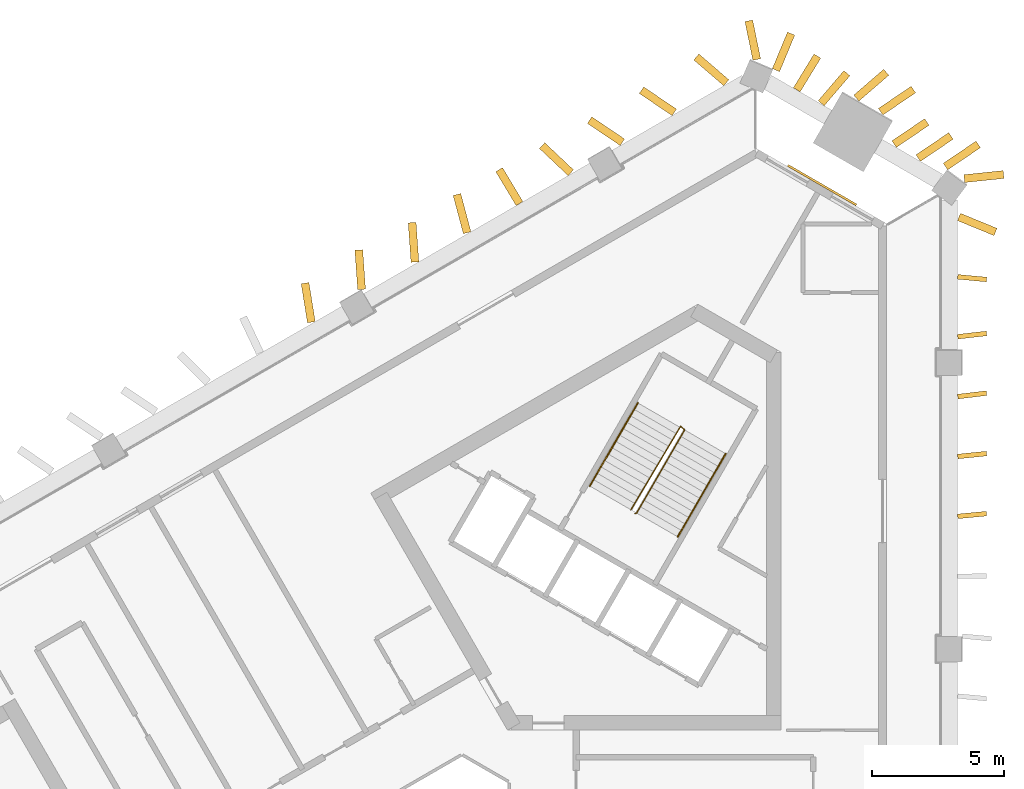
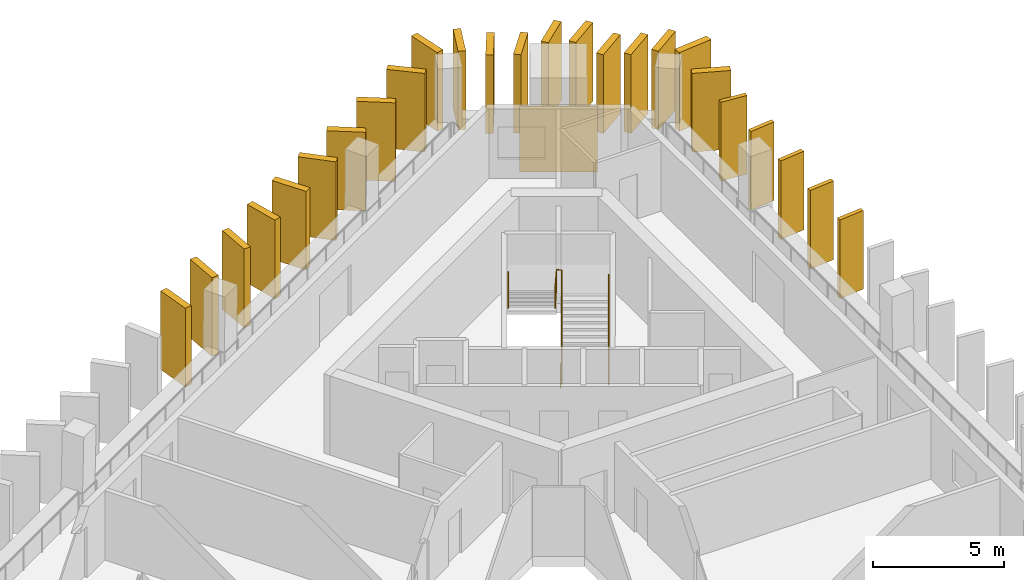
# One storey, part 10 of 10: 25 shading devices, 3 railings, 1 covering.
"""IFC4 building model written with IfcOpenShell, lengths in metres."""

import ifcopenshell
import ifcopenshell.guid

model = None  # the IFC model being written
_history = None  # IfcOwnerHistory: only IFC2X3 demands one
_inside = {}  # id of a spatial element -> (the spatial element, [elements in it])
_under = {}  # id of a project, library or spatial element -> (it, [spatial elements below it])
_declared = {}  # id of a project -> (the project, [libraries it declares])
_typed = {}  # id of a type object -> (the type object, [elements of that type])
_made_of = {}  # id of a material, layer set ... -> (it, [elements and type objects made of it])


def new_model(schema):
    """Start an empty IFC model of exactly this schema.

    Asked for "IFC4X3", IfcOpenShell would pick the latest addendum, in which some entities
    have other attributes; the version numbers below select the first issue.
    IFC2X3 requires an IfcOwnerHistory on every rooted entity: one is made here for all.
    """
    global model, _history
    if schema == "IFC4X3":
        model = ifcopenshell.file(schema_version=(4, 3, 0, 0))
    else:
        model = ifcopenshell.file(schema=schema)
    _inside.clear()
    _under.clear()
    _declared.clear()
    _typed.clear()
    _made_of.clear()
    _history = None
    if model.schema == "IFC2X3":
        org = make("IfcOrganization", Name="unknown")
        user = make(
            "IfcPersonAndOrganization",
            ThePerson=make("IfcPerson", FamilyName="unknown"),
            TheOrganization=org,
        )
        app = make(
            "IfcApplication",
            ApplicationDeveloper=org,
            Version="unknown",
            ApplicationFullName="unknown",
            ApplicationIdentifier="unknown",
        )
        _history = make(
            "IfcOwnerHistory",
            OwningUser=user,
            OwningApplication=app,
            ChangeAction="ADDED",
            CreationDate=0,
        )
    return model


def make(cls, **values):
    """One entity of the class cls with the attributes given. An attribute that is None is left unset."""
    return model.create_entity(
        cls, **{name: value for name, value in values.items() if value is not None}
    )


def rooted(cls, **values):
    """An entity with a GlobalId (a new one), such as an element, a storey or a relation."""
    return make(cls, GlobalId=ifcopenshell.guid.new(), OwnerHistory=_history, **values)


def si_unit(unit_type, name, prefix=None):
    """IfcSIUnit, for example si_unit("LENGTHUNIT", "METRE", prefix="MILLI")."""
    return make("IfcSIUnit", UnitType=unit_type, Prefix=prefix, Name=name)


def assignment(units):
    """IfcUnitAssignment: the units of a project."""
    return None if units is None else make("IfcUnitAssignment", Units=units)


def point(xyz):
    """IfcCartesianPoint."""
    return None if xyz is None else make("IfcCartesianPoint", Coordinates=xyz)


def direction(xyz):
    """IfcDirection."""
    return None if xyz is None else make("IfcDirection", DirectionRatios=xyz)


def frame(location, z_axis=None, x_axis=None):
    """IfcAxis2Placement3D, a coordinate frame: its origin and axes. An axis left out is left unset."""
    return make(
        "IfcAxis2Placement3D",
        Location=point(location),
        Axis=direction(z_axis),
        RefDirection=direction(x_axis),
    )


def frame_2d(location, x_axis=None):
    """IfcAxis2Placement2D, a coordinate frame in the plane: its origin and x axis."""
    return make(
        "IfcAxis2Placement2D", Location=point(location), RefDirection=direction(x_axis)
    )


def origin():
    """The frame at (0, 0, 0) with its axes left unset."""
    return frame((0.0, 0.0, 0.0))


def origin_2d():
    """The frame at (0, 0) in the plane with its x axis left unset."""
    return frame_2d((0.0, 0.0))


def place(relative_to, where):
    """IfcLocalPlacement: puts the frame where relative to a parent placement (None: the world)."""
    return make(
        "IfcLocalPlacement", PlacementRelTo=relative_to, RelativePlacement=where
    )


def context(
    kind, dimensions, precision=None, world=None, true_north=None, identifier=None
):
    """IfcGeometricRepresentationContext, for example the 3D "Model" context."""
    return make(
        "IfcGeometricRepresentationContext",
        ContextIdentifier=identifier,
        ContextType=kind,
        CoordinateSpaceDimension=dimensions,
        Precision=precision,
        WorldCoordinateSystem=world,
        TrueNorth=true_north,
    )


def subcontext(parent, identifier, kind, view, scale=None):
    """IfcGeometricRepresentationSubContext, for example "Body" below "Model"."""
    return make(
        "IfcGeometricRepresentationSubContext",
        ContextIdentifier=identifier,
        ContextType=kind,
        ParentContext=parent,
        TargetScale=scale,
        TargetView=view,
    )


def project(units=None, contexts=None):
    """IfcProject with its units and contexts."""
    return rooted(
        "IfcProject",
        Name="project",
        RepresentationContexts=contexts,
        UnitsInContext=assignment(units),
    )


def spatial(cls, under=None, at=None, **own):
    """A site, building, storey or space (cls), placed at a placement, below another one or the project."""
    s = rooted(cls, ObjectPlacement=at, **own)
    if under is not None:
        _under.setdefault(under.id(), (under, []))[1].append(s)
    return s


def profile(cls, at=None, kind="AREA", **sizes):
    """A parametric profile (cls). Its sizes go by their IFC names, for example OverallWidth=200.0."""
    return make(cls, ProfileType=kind, Position=at, **sizes)


def rectangle(**sizes):
    """IfcRectangleProfileDef."""
    return profile("IfcRectangleProfileDef", **sizes)


def circle(**sizes):
    """IfcCircleProfileDef."""
    return profile("IfcCircleProfileDef", **sizes)


def extrude(swept, where, along, depth):
    """IfcExtrudedAreaSolid: the profile swept, set in the frame where, extruded along a direction by depth."""
    return make(
        "IfcExtrudedAreaSolid",
        SweptArea=swept,
        Position=where,
        ExtrudedDirection=direction(along),
        Depth=depth,
    )


def shape(context_of_items, identifier, shape_type, items):
    """IfcShapeRepresentation: the items that make up one representation, for example the "Body"."""
    return make(
        "IfcShapeRepresentation",
        ContextOfItems=context_of_items,
        RepresentationIdentifier=identifier,
        RepresentationType=shape_type,
        Items=items,
    )


def material(Name=None, Category=None):
    """IfcMaterial."""
    return make("IfcMaterial", Name=Name, Category=Category)


def layer(
    of_material, thickness, ventilated=None, Name=None, Category=None, Priority=None
):
    """IfcMaterialLayer: one layer of a wall or slab, of a material (None: an air gap)."""
    return make(
        "IfcMaterialLayer",
        Material=of_material,
        LayerThickness=thickness,
        IsVentilated=ventilated,
        Name=Name,
        Category=Category,
        Priority=Priority,
    )


def layer_set(layers, Name=None):
    """IfcMaterialLayerSet."""
    return make("IfcMaterialLayerSet", MaterialLayers=layers, LayerSetName=Name)


def made_of(thing, what):
    """Note that an element or type object is made of a material, layer set ...; save() writes the relation."""
    if what is not None:
        _made_of.setdefault(what.id(), (what, []))[1].append(thing)
    return thing


def type_object(cls, material=None, **own):
    """A type object (cls), such as IfcWallType, which elements share."""
    return made_of(rooted(cls, **own), material)


def element(
    cls,
    number,
    at=None,
    inside=None,
    cuts=None,
    type_object=None,
    material=None,
    context=None,
    identifier="Body",
    shape_type=None,
    held_by="IfcProductDefinitionShape",
    body=None,
    shapes=None,
    **own,
):
    """One element of the class cls, such as IfcWall. Its Tag is "e" and its number.

    at: its placement. inside: the storey or other place that contains it. cuts: it is an
    opening in that element (IfcRelVoidsElement). A single representation is given by context,
    identifier, shape_type and body (its items); several are given by shapes. held_by: the class
    of the entity that holds the representations. save() writes the other relations.
    """
    e = rooted(cls, Tag="e%d" % number, ObjectPlacement=at, **own)
    if body is not None:
        shapes = [shape(context, identifier, shape_type, body)]
    if shapes is not None:
        e.Representation = make(held_by, Representations=shapes)
    if inside is not None:
        _inside.setdefault(inside.id(), (inside, []))[1].append(e)
    if cuts is not None:
        rooted(
            "IfcRelVoidsElement", RelatingBuildingElement=cuts, RelatedOpeningElement=e
        )
    if type_object is not None:
        _typed.setdefault(type_object.id(), (type_object, []))[1].append(e)
    return made_of(e, material)


def aggregate(whole, parts):
    """IfcRelAggregates: a whole, such as a stair, and the parts it consists of."""
    return rooted("IfcRelAggregates", RelatingObject=whole, RelatedObjects=parts)


def save(model, path):
    """Write the relations noted so far, then the file.

    IfcRelAggregates (storeys below a building ...), IfcRelContainedInSpatialStructure (elements
    in a storey), IfcRelDefinesByType, IfcRelAssociatesMaterial and IfcRelDeclares: one each for
    every whole, place, type object, material and project.
    """
    for whole, parts in _under.values():
        aggregate(whole, parts)
    for where, things in _inside.values():
        rooted(
            "IfcRelContainedInSpatialStructure",
            RelatedElements=things,
            RelatingStructure=where,
        )
    for kind, things in _typed.values():
        rooted("IfcRelDefinesByType", RelatedObjects=things, RelatingType=kind)
    for what, things in _made_of.values():
        rooted("IfcRelAssociatesMaterial", RelatedObjects=things, RelatingMaterial=what)
    for by, libraries in _declared.values():
        rooted("IfcRelDeclares", RelatingContext=by, RelatedDefinitions=libraries)
    model.write(path)


model = new_model("IFC4")

# Units and contexts
model_context = context("Model", 3, precision=1e-05, world=origin(), true_north=direction((0.0, 1.0)))
body_context = subcontext(model_context, "Body", "Model", "MODEL_VIEW")
ifc_project = project(units=[si_unit("LENGTHUNIT", "METRE"), si_unit("AREAUNIT", "SQUARE_METRE"), si_unit("VOLUMEUNIT", "CUBIC_METRE"), si_unit("PLANEANGLEUNIT", "RADIAN"), si_unit("MASSUNIT", "GRAM", prefix="KILO")], contexts=[model_context])

# Site, building, storey
site_placement = place(None, origin())
site = spatial("IfcSite", under=ifc_project, at=site_placement, CompositionType="ELEMENT")
building_placement = place(site_placement, origin())
building = spatial("IfcBuilding", under=site, at=building_placement, Name="Jabali Bay Hotel Tower and Convention Centre", CompositionType="ELEMENT")
storey_placement = place(building_placement, frame((0.0, 0.0, 167.39990234375)))
storey = spatial("IfcBuildingStorey", under=building, at=storey_placement, Name="L40", CompositionType="ELEMENT", Elevation=167.39990234375)

# Shading devices
ifc_material_1 = material(Name="Precast concrete C60", Category="concrete")
ifc_layer_1 = layer(ifc_material_1, 0.179931640625)
ifc_layer_set_1 = layer_set([ifc_layer_1], Name="Precast concrete C60")
shading_device_type_1 = type_object("IfcShadingDeviceType", Name="Precast fin 3680 x 1100", PredefinedType="USERDEFINED", material=ifc_layer_set_1)
shading_device_1_placement = place(storey_placement, frame((96.576904296875, 95.90234375, 0.010009765625), z_axis=(0.0, 0.0, 1.0), x_axis=(0.995521367275, 0.094536803937, 0.0)))
element("IfcShadingDevice", 1, at=shading_device_1_placement, inside=storey, type_object=shading_device_type_1, Name="Fin L40 019", ObjectType="FIN", PredefinedType="USERDEFINED", context=body_context, shape_type="SweptSolid", body=[
    extrude(rectangle(XDim=1.10009765625, YDim=0.179931640625, at=frame_2d((0.550048828125, 0.0))), origin(), (0.0, 0.0, 1.0), 3.68017578125),
])
for number, where, z_axis, x_axis, name in (
    (2, (96.57763671875, 98.17431640625, 0.010009765625), (0.0, 0.0, 1.0), (0.994931133727, 0.100558635337, 0.0), "Fin L40 020"),
    (3, (96.579345703125, 100.446044921875, 0.010009765625), (0.0, 0.0, 1.0), (0.992817902157, 0.119635334063, 0.0), "Fin L40 021"),
):
    element("IfcShadingDevice", number, at=place(storey_placement, frame(where, z_axis=z_axis, x_axis=x_axis)), inside=storey, type_object=shading_device_type_1, Name=name, ObjectType="FIN", PredefinedType="USERDEFINED", context=body_context, shape_type="SweptSolid", body=[
        extrude(rectangle(XDim=1.099853515625, YDim=0.179931640625, at=frame_2d((0.5498046875, 0.0))), origin(), (0.0, 0.0, 1.0), 3.68017578125),
    ])
for number, where, z_axis, x_axis, name in (
    (4, (96.57861328125, 102.7177734375, 0.010009765625), (0.0, 0.0, 1.0), (0.99357409499, 0.113183557839, 0.0), "Fin L40 022"),
    (5, (96.57666015625, 104.989501953125, 0.010009765625), (0.0, 0.0, 1.0), (0.995790707491, -0.091656242967, 0.0), "Fin L40 023"),
):
    element("IfcShadingDevice", number, at=place(storey_placement, frame(where, z_axis=z_axis, x_axis=x_axis)), inside=storey, type_object=shading_device_type_1, Name=name, ObjectType="FIN", PredefinedType="USERDEFINED", context=body_context, shape_type="SweptSolid", body=[
        extrude(rectangle(XDim=1.10009765625, YDim=0.179931640625, at=frame_2d((0.550048828125, 0.0))), origin(), (0.0, 0.0, 1.0), 3.68017578125),
    ])
ifc_layer_2 = layer(ifc_material_1, 0.300048828125)
ifc_layer_set_2 = layer_set([ifc_layer_2], Name="Precast concrete C60")
shading_device_type_2 = type_object("IfcShadingDeviceType", Name="Precast fin 3680 x 1500", PredefinedType="USERDEFINED", material=ifc_layer_set_2)
for number, where, z_axis, x_axis, name in (
    (6, (96.62548828125, 107.26123046875, 0.010009765625), (0.0, 0.0, 1.0), (0.925162756119, -0.379570645192, 0.0), "Fin L40 024"),
    (7, (96.114013671875, 109.173095703125, 0.010009765625), (0.0, 0.0, 1.0), (0.828578765843, 0.559872511196, 0.0), "Fin L40 025"),
):
    element("IfcShadingDevice", number, at=place(storey_placement, frame(where, z_axis=z_axis, x_axis=x_axis)), inside=storey, type_object=shading_device_type_2, Name=name, ObjectType="FIN", PredefinedType="USERDEFINED", context=body_context, shape_type="SweptSolid", body=[
        extrude(rectangle(XDim=1.5, YDim=0.300048828125, at=frame_2d((0.75, 0.0))), origin(), (0.0, 0.0, 1.0), 3.68017578125),
    ])
shading_device_2_placement = place(storey_placement, frame((95.07958984375, 109.494873046875, 0.010009765625), z_axis=(0.0, 0.0, 1.0), x_axis=(0.828527739218, 0.559948020218, 0.0)))
element("IfcShadingDevice", 8, at=shading_device_2_placement, inside=storey, type_object=shading_device_type_2, Name="Fin L40 026", ObjectType="FIN", PredefinedType="USERDEFINED", context=body_context, shape_type="SweptSolid", body=[
    extrude(rectangle(XDim=1.499755859375, YDim=0.300048828125, at=frame_2d((0.75, 0.0))), origin(), (0.0, 0.0, 1.0), 3.68017578125),
])
shading_device_3_placement = place(storey_placement, frame((94.164306640625, 110.0234375, 0.010009765625), z_axis=(0.0, 0.0, 1.0), x_axis=(0.828654266351, 0.55976075859, 0.0)))
element("IfcShadingDevice", 9, at=shading_device_3_placement, inside=storey, type_object=shading_device_type_2, Name="Fin L40 027", ObjectType="FIN", PredefinedType="USERDEFINED", context=body_context, shape_type="SweptSolid", body=[
    extrude(rectangle(XDim=1.5, YDim=0.300048828125, at=frame_2d((0.75, 0.0))), origin(), (0.0, 0.0, 1.0), 3.68017578125),
])
shading_device_4_placement = place(storey_placement, frame((93.655517578125, 111.25537109375, 0.010009765625), z_axis=(0.0, 0.0, 1.0), x_axis=(0.828527739218, 0.559948020218, 0.0)))
element("IfcShadingDevice", 10, at=shading_device_4_placement, inside=storey, type_object=shading_device_type_2, Name="Fin L40 028", ObjectType="FIN", PredefinedType="USERDEFINED", context=body_context, shape_type="SweptSolid", body=[
    extrude(rectangle(XDim=1.499755859375, YDim=0.300048828125, at=frame_2d((0.75, 0.0))), origin(), (0.0, 0.0, 1.0), 3.68017578125),
])
for number, where, z_axis, x_axis, name in (
    (11, (92.732177734375, 111.76953125, 0.010009765625), (0.0, 0.0, 1.0), (0.757046219437, 0.653361325483, 0.0), "Fin L40 029"),
    (12, (91.399658203125, 111.575439453125, 0.010009765625), (0.0, 0.0, 1.0), (0.650389169115, 0.759601164229, 0.0), "Fin L40 030"),
    (13, (90.47265625, 112.083251953125, 0.010009765625), (0.0, 0.0, 1.0), (0.521324915278, 0.8533582675, 0.0), "Fin L40 031"),
    (14, (89.683837890625, 112.830322265625, 0.010009765625), (0.0, 0.0, 1.0), (0.383147130506, 0.923687326093, 0.0), "Fin L40 032"),
):
    element("IfcShadingDevice", number, at=place(storey_placement, frame(where, z_axis=z_axis, x_axis=x_axis)), inside=storey, type_object=shading_device_type_2, Name=name, ObjectType="FIN", PredefinedType="USERDEFINED", context=body_context, shape_type="SweptSolid", body=[
        extrude(rectangle(XDim=1.5, YDim=0.300048828125, at=frame_2d((0.75, 0.0))), origin(), (0.0, 0.0, 1.0), 3.68017578125),
    ])
shading_device_5_placement = place(storey_placement, frame((87.800048828125, 112.3525390625, 0.010009765625), z_axis=(0.0, 0.0, 1.0), x_axis=(-0.75839434279, 0.651795996325, 0.0)))
element("IfcShadingDevice", 15, at=shading_device_5_placement, inside=storey, type_object=shading_device_type_2, Name="Fin L40 033", ObjectType="FIN", PredefinedType="USERDEFINED", context=body_context, shape_type="SweptSolid", body=[
    extrude(rectangle(XDim=1.500244140625, YDim=0.300048828125, at=frame_2d((0.75, 0.0))), origin(), (0.0, 0.0, 1.0), 3.68017578125),
])
for number, where, z_axis, x_axis, name in (
    (16, (85.824462890625, 111.23046875, 0.010009765625), (0.0, 0.0, 1.0), (-0.828578765843, 0.559872511196, 0.0), "Fin L40 034"),
    (17, (83.857177734375, 110.094482421875, 0.010009765625), (0.0, 0.0, 1.0), (-0.828578765843, 0.559872511196, 0.0), "Fin L40 035"),
):
    element("IfcShadingDevice", number, at=place(storey_placement, frame(where, z_axis=z_axis, x_axis=x_axis)), inside=storey, type_object=shading_device_type_2, Name=name, ObjectType="FIN", PredefinedType="USERDEFINED", context=body_context, shape_type="SweptSolid", body=[
        extrude(rectangle(XDim=1.5, YDim=0.300048828125, at=frame_2d((0.75, 0.0))), origin(), (0.0, 0.0, 1.0), 3.68017578125),
    ])
shading_device_6_placement = place(storey_placement, frame((81.901123046875, 108.93896484375, 0.010009765625), z_axis=(0.0, 0.0, 1.0), x_axis=(-0.727315477823, 0.686303282609, 0.0)))
element("IfcShadingDevice", 18, at=shading_device_6_placement, inside=storey, type_object=shading_device_type_2, Name="Fin L40 036", ObjectType="FIN", PredefinedType="USERDEFINED", context=body_context, shape_type="SweptSolid", body=[
    extrude(rectangle(XDim=1.500244140625, YDim=0.300048828125, at=frame_2d((0.75, 0.0))), origin(), (0.0, 0.0, 1.0), 3.68017578125),
])
for number, where, z_axis, x_axis, name in (
    (19, (79.953857421875, 107.76806640625, 0.010009765625), (0.0, 0.0, 1.0), (-0.514328196398, 0.857593438868, 0.0), "Fin L40 037"),
    (20, (77.96826171875, 106.663818359375, 0.010009765625), (0.0, 0.0, 1.0), (-0.257824739692, 0.96619170127, 0.0), "Fin L40 038"),
    (21, (75.987548828125, 105.551025390625, 0.010009765625), (0.0, 0.0, 1.0), (-0.070634034433, 0.997502297331, 0.0), "Fin L40 039"),
):
    element("IfcShadingDevice", number, at=place(storey_placement, frame(where, z_axis=z_axis, x_axis=x_axis)), inside=storey, type_object=shading_device_type_2, Name=name, ObjectType="FIN", PredefinedType="USERDEFINED", context=body_context, shape_type="SweptSolid", body=[
        extrude(rectangle(XDim=1.5, YDim=0.300048828125, at=frame_2d((0.75, 0.0))), origin(), (0.0, 0.0, 1.0), 3.68017578125),
    ])
shading_device_7_placement = place(storey_placement, frame((73.9638671875, 104.512451171875, 0.010009765625), z_axis=(0.0, 0.0, 1.0), x_axis=(-0.070483535293, 0.9975129429, 0.0)))
element("IfcShadingDevice", 22, at=shading_device_7_placement, inside=storey, type_object=shading_device_type_2, Name="Fin L40 040", ObjectType="FIN", PredefinedType="USERDEFINED", context=body_context, shape_type="SweptSolid", body=[
    extrude(rectangle(XDim=1.499755859375, YDim=0.300048828125, at=frame_2d((0.75, 0.0))), origin(), (0.0, 0.0, 1.0), 3.68017578125),
])
shading_device_8_placement = place(storey_placement, frame((72.058837890625, 103.2685546875, 0.010009765625), z_axis=(0.0, 0.0, 1.0), x_axis=(-0.159831125054, 0.987144372148, 0.0)))
element("IfcShadingDevice", 23, at=shading_device_8_placement, inside=storey, type_object=shading_device_type_2, Name="Fin L40 041", ObjectType="FIN", PredefinedType="USERDEFINED", context=body_context, shape_type="SweptSolid", body=[
    extrude(rectangle(XDim=1.5, YDim=0.300048828125, at=frame_2d((0.75, 0.0))), origin(), (0.0, 0.0, 1.0), 3.68017578125),
])
shading_device_9_placement = place(storey_placement, frame((96.82666015625, 108.715087890625, 0.010009765625), z_axis=(0.0, 0.0, 1.0), x_axis=(0.994526834051, 0.104481464157, 0.0)))
element("IfcShadingDevice", 24, at=shading_device_9_placement, inside=storey, type_object=shading_device_type_2, Name="Fin L40 100", ObjectType="FIN", PredefinedType="USERDEFINED", context=body_context, shape_type="SweptSolid", body=[
    extrude(rectangle(XDim=1.500244140625, YDim=0.300048828125, at=frame_2d((0.75, 0.0))), origin(), (0.0, 0.0, 1.0), 3.68017578125),
])
shading_device_10_placement = place(storey_placement, frame((88.95458984375, 113.2333984375, 0.010009765625), z_axis=(0.0, 0.0, 1.0), x_axis=(-0.200840020278, 0.97962405353, 0.0)))
element("IfcShadingDevice", 25, at=shading_device_10_placement, inside=storey, type_object=shading_device_type_2, Name="Fin L40 101", ObjectType="FIN", PredefinedType="USERDEFINED", context=body_context, shape_type="SweptSolid", body=[
    extrude(rectangle(XDim=1.5, YDim=0.300048828125, at=frame_2d((0.75, 0.0))), origin(), (0.0, 0.0, 1.0), 3.68017578125),
])

# Covering
ifc_material_2 = material(Name="Precast concrete C40/50", Category="concrete")
ifc_layer_3 = layer(ifc_material_2, 0.080078125)
ifc_layer_set_3 = layer_set([ifc_layer_3], Name="Precast concrete C40/50")
covering_type = type_object("IfcCoveringType", Name="Relief panel 3000 x 3050", PredefinedType="CLADDING", material=ifc_layer_set_3)
covering_placement = place(storey_placement, frame((91.435302734375, 108.466796875, 0.10009765625), z_axis=(0.0, 0.0, 1.0), x_axis=(0.866025461572, -0.499999899909, 0.0)))
element("IfcCovering", 26, at=covering_placement, inside=storey, type_object=covering_type, Name="Relief panel L40", PredefinedType="CLADDING", context=body_context, shape_type="SweptSolid", body=[
    extrude(rectangle(XDim=3.0, YDim=0.080078125, at=origin_2d()), origin(), (0.0, 0.0, 1.0), 3.050048828125),
])

# Railings
ifc_material_3 = material(Name="Steel Q355B", Category="steel")
railing_type_1 = type_object("IfcRailingType", Name="Stair guard 1100", PredefinedType="GUARDRAIL", material=ifc_material_3)
railing_1_placement = place(storey_placement, frame((84.329833984375, 96.010009765625, 0.0)))
element("IfcRailing", 27, at=railing_1_placement, inside=storey, type_object=railing_type_1, Name="L40 ST2 stair guard 1", PredefinedType="GUARDRAIL", context=body_context, shape_type="SweptSolid", body=[
    extrude(circle(Radius=0.02392578125, at=origin_2d()), frame((0.0, 0.0, 1.076171875), z_axis=(0.455547195254, 0.122021570157, 0.88180921367), x_axis=(-0.258736085224, 0.965948051503, 0.0)), (0.0, 0.0, 1.0), 0.150146484375),
    extrude(circle(Radius=0.02392578125, at=origin_2d()), frame((0.068359375, 0.018310546875, 1.20849609375), z_axis=(0.452190331055, 0.783190014029, 0.426775475427), x_axis=(-0.866018046521, 0.500012742938, 0.0)), (0.0, 0.0, 1.0), 4.02490234375),
    extrude(circle(Radius=0.02392578125, at=origin_2d()), frame((1.888427734375, 3.170654296875, 2.92626953125), z_axis=(-0.718850276695, 0.695164929852, 0.0), x_axis=(-0.695164929852, -0.718850276695, 0.0)), (0.0, 0.0, 1.0), 0.2060546875),
    extrude(circle(Radius=0.02392578125, at=origin_2d()), frame((1.740234375, 3.31396484375, 2.92626953125), z_axis=(-0.457445338502, -0.768046879266, 0.448160410493), x_axis=(0.859157857954, -0.511710636118, 0.0)), (0.0, 0.0, 1.0), 4.128173828125),
    extrude(circle(Radius=0.02099609375, at=origin_2d()), origin(), (0.0, 0.0, 1.0), 1.052001953125),
    extrude(circle(Radius=0.02099609375, at=origin_2d()), frame((0.068359375, 0.018310546875, 0.13232421875)), (0.0, 0.0, 1.0), 1.052001953125),
    extrude(circle(Radius=0.02099609375, at=origin_2d()), frame((0.5234375, 0.806396484375, 0.561767578125)), (0.0, 0.0, 1.0), 1.052001953125),
    extrude(circle(Radius=0.02099609375, at=origin_2d()), frame((0.978515625, 1.594482421875, 0.9912109375)), (0.0, 0.0, 1.0), 1.052001953125),
    extrude(circle(Radius=0.02099609375, at=origin_2d()), frame((1.433349609375, 2.382568359375, 1.420654296875)), (0.0, 0.0, 1.0), 1.052001953125),
    extrude(circle(Radius=0.02099609375, at=origin_2d()), frame((1.888427734375, 3.170654296875, 1.85009765625)), (0.0, 0.0, 1.0), 1.052001953125),
    extrude(circle(Radius=0.02099609375, at=origin_2d()), frame((1.740234375, 3.31396484375, 1.85009765625)), (0.0, 0.0, 1.0), 1.052001953125),
    extrude(circle(Radius=0.02099609375, at=origin_2d()), frame((1.26806640625, 2.521240234375, 2.3125)), (0.0, 0.0, 1.0), 1.052001953125),
    extrude(circle(Radius=0.02099609375, at=origin_2d()), frame((0.7958984375, 1.728515625, 2.775146484375)), (0.0, 0.0, 1.0), 1.052001953125),
    extrude(circle(Radius=0.02099609375, at=origin_2d()), frame((0.323974609375, 0.93603515625, 3.23779296875)), (0.0, 0.0, 1.0), 1.052001953125),
    extrude(circle(Radius=0.02099609375, at=origin_2d()), frame((-0.148193359375, 0.143310546875, 3.7001953125)), (0.0, 0.0, 1.0), 1.052001953125),
])
railing_type_2 = type_object("IfcRailingType", Name="Stair handrail 900", PredefinedType="HANDRAIL", material=ifc_material_3)
railing_2_placement = place(storey_placement, frame((85.95703125, 95.128173828125, 0.13232421875)))
element("IfcRailing", 28, at=railing_2_placement, inside=storey, type_object=railing_type_2, Name="L40 ST2 stair handrail 1", PredefinedType="HANDRAIL", context=body_context, shape_type="SweptSolid", body=[
    extrude(circle(Radius=0.02392578125, at=origin_2d()), frame((0.0, 0.0, 0.8759765625), z_axis=(0.452190331055, 0.783190014029, 0.426775475427), x_axis=(-0.866018046521, 0.500012742938, 0.0)), (0.0, 0.0, 1.0), 4.02490234375),
    extrude(circle(Radius=0.02099609375, at=origin_2d()), origin(), (0.0, 0.0, 1.0), 0.851806640625),
    extrude(circle(Radius=0.02099609375, at=origin_2d()), frame((0.455078125, 0.7880859375, 0.429443359375)), (0.0, 0.0, 1.0), 0.851806640625),
    extrude(circle(Radius=0.02099609375, at=origin_2d()), frame((0.91015625, 1.576171875, 0.85888671875)), (0.0, 0.0, 1.0), 0.851806640625),
    extrude(circle(Radius=0.02099609375, at=origin_2d()), frame((1.364990234375, 2.3642578125, 1.288330078125)), (0.0, 0.0, 1.0), 0.851806640625),
    extrude(circle(Radius=0.02099609375, at=origin_2d()), frame((1.820068359375, 3.15234375, 1.7177734375)), (0.0, 0.0, 1.0), 0.851806640625),
])
railing_3_placement = place(storey_placement, frame((84.44287109375, 100.20556640625, 1.982177734375)))
element("IfcRailing", 29, at=railing_3_placement, inside=storey, type_object=railing_type_2, Name="L40 ST2 stair handrail 2", PredefinedType="HANDRAIL", context=body_context, shape_type="SweptSolid", body=[
    extrude(circle(Radius=0.02392578125, at=origin_2d()), frame((0.0, 0.0, 0.8759765625), z_axis=(-0.45217862506, -0.783169739339, 0.426825081763), x_axis=(0.866018046521, -0.500012742938, 0.0)), (0.0, 0.0, 1.0), 4.025146484375),
    extrude(circle(Radius=0.02099609375, at=origin_2d()), origin(), (0.0, 0.0, 1.0), 0.851806640625),
    extrude(circle(Radius=0.02099609375, at=origin_2d()), frame((-0.455078125, -0.7880859375, 0.429443359375)), (0.0, 0.0, 1.0), 0.851806640625),
    extrude(circle(Radius=0.02099609375, at=origin_2d()), frame((-0.91015625, -1.576171875, 0.85888671875)), (0.0, 0.0, 1.0), 0.851806640625),
    extrude(circle(Radius=0.02099609375, at=origin_2d()), frame((-1.364990234375, -2.3642578125, 1.28857421875)), (0.0, 0.0, 1.0), 0.851806640625),
    extrude(circle(Radius=0.02099609375, at=origin_2d()), frame((-1.820068359375, -3.15234375, 1.718017578125)), (0.0, 0.0, 1.0), 0.851806640625),
])

save(model, "model.ifc")
